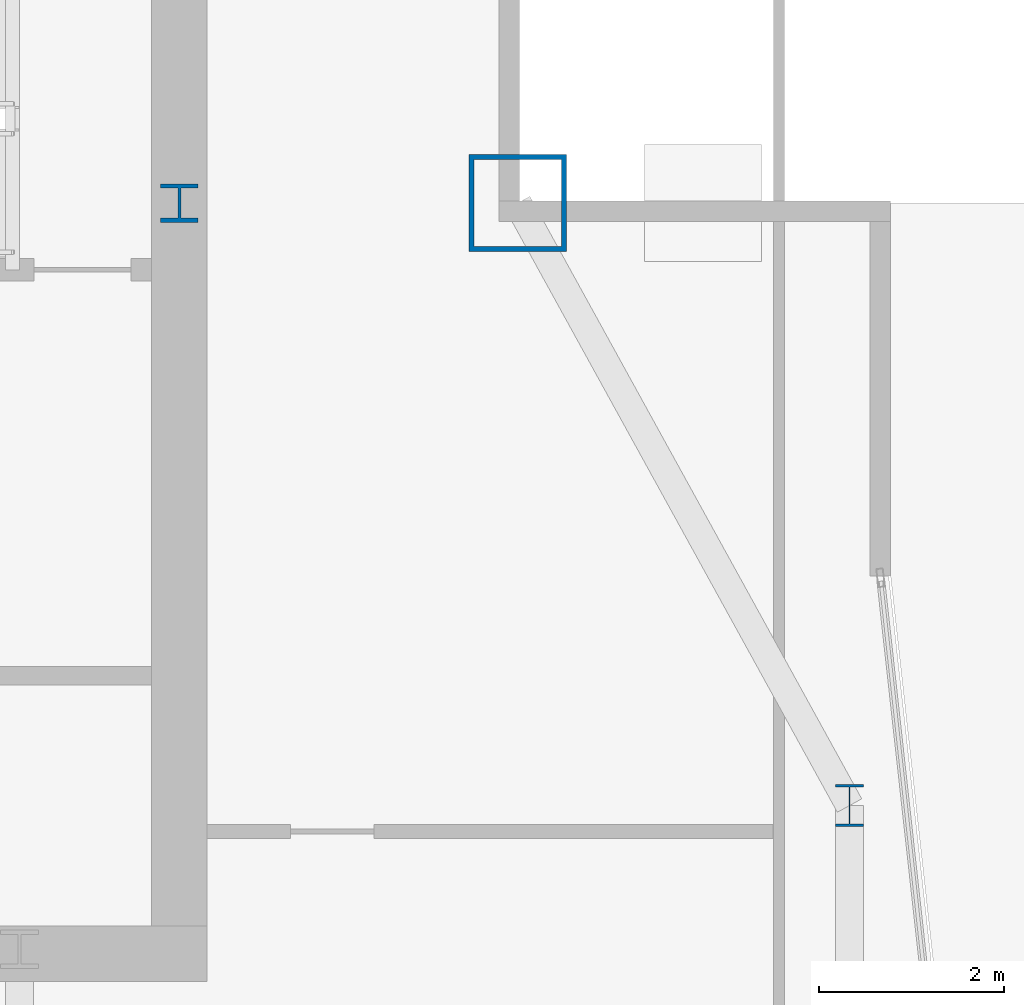
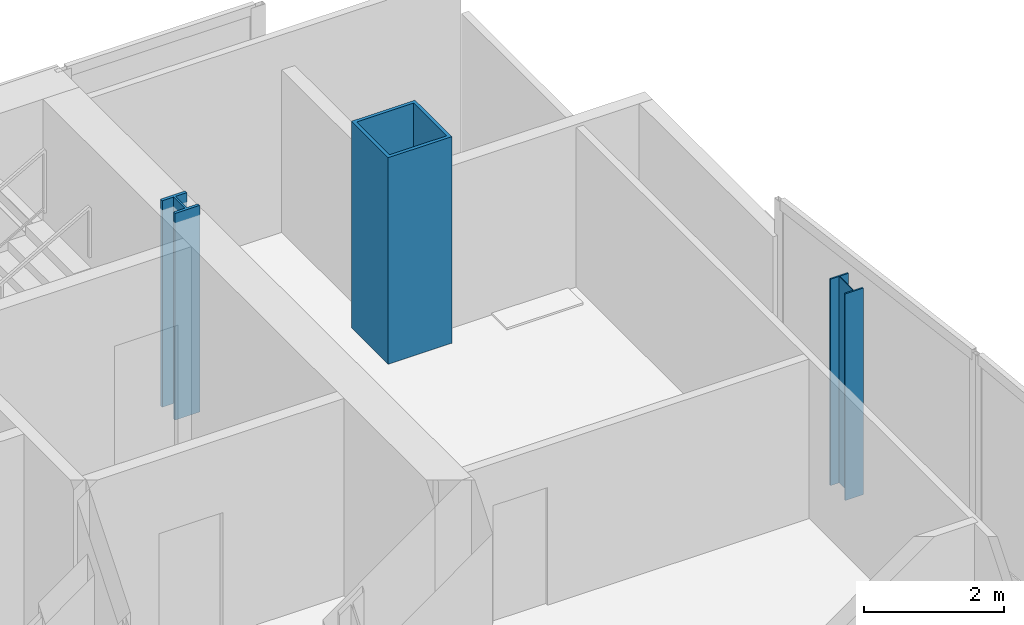
# One storey, part 4 of 30: 3 columns.
"""IFC4 building model written with IfcOpenShell, lengths in metres."""

from ifc_helpers import new_model, si_unit, direction, frame, origin, origin_2d, place, context, subcontext, project, spatial, hollow_rectangle, i_section, extrude, material, material_profile, profile_set, type_object, element, save


model = new_model("IFC4")

# Units and contexts
model_context = context("Model", 3, precision=1e-05, world=origin(), true_north=direction((0.0, 1.0)))
body_context = subcontext(model_context, "Body", "Model", "MODEL_VIEW")
ifc_project = project(units=[si_unit("LENGTHUNIT", "METRE"), si_unit("AREAUNIT", "SQUARE_METRE"), si_unit("VOLUMEUNIT", "CUBIC_METRE"), si_unit("PLANEANGLEUNIT", "RADIAN"), si_unit("MASSUNIT", "GRAM", prefix="KILO")], contexts=[model_context])

# Site, building, storey
site_placement = place(None, origin())
site = spatial("IfcSite", under=ifc_project, at=site_placement, CompositionType="ELEMENT")
building_placement = place(site_placement, origin())
building = spatial("IfcBuilding", under=site, at=building_placement, Name="Khoronbel Lancet Exchange", CompositionType="ELEMENT")
storey_placement = place(building_placement, frame((0.0, 0.0, 239.0)))
storey = spatial("IfcBuildingStorey", under=building, at=storey_placement, Name="L61", CompositionType="ELEMENT", Elevation=239.0)

# Columns
ifc_material_1 = material(Name="Steel S355", Category="steel")
ifc_material_profile_1 = material_profile(ifc_material_1, i_section(OverallWidth=0.406005859375, OverallDepth=0.416015625, WebThickness=0.02978515625, FlangeThickness=0.048095703125, at=origin_2d()), Name="HD 400x382")
ifc_profile_set_1 = profile_set([ifc_material_profile_1], Name="Steel S355")
column_type_1 = type_object("IfcColumnType", Name="COL-IC3", PredefinedType="COLUMN", material=ifc_profile_set_1)
column_1_placement = place(storey_placement, frame((56.39990234375, 49.699951171875, 0.0), z_axis=(0.0, 0.0, 1.0), x_axis=(1.0, 0.0, 0.0)))
element("IfcColumn", 1, at=column_1_placement, inside=storey, type_object=column_type_1, Name="Core-flank plumb transfer column CFE L61", PredefinedType="COLUMN", context=body_context, shape_type="SweptSolid", body=[
    extrude(i_section(OverallWidth=0.406005859375, OverallDepth=0.416015625, WebThickness=0.02978515625, FlangeThickness=0.048095703125, at=origin_2d()), origin(), (0.0, 0.0, 1.0), 3.60009765625),
])
ifc_material_profile_2 = material_profile(ifc_material_1, i_section(OverallWidth=0.300048828125, OverallDepth=0.449951171875, WebThickness=0.013916015625, FlangeThickness=0.02587890625, at=origin_2d()), Name="HEB 450")
ifc_profile_set_2 = profile_set([ifc_material_profile_2], Name="Steel S355")
column_type_2 = type_object("IfcColumnType", Name="COL-LC2", PredefinedType="COLUMN", material=ifc_profile_set_2)
column_2_placement = place(storey_placement, frame((63.6298828125, 43.199951171875, 0.0), z_axis=(0.0, 0.0, 1.0), x_axis=(1.0, 0.0, 0.0)))
element("IfcColumn", 2, at=column_2_placement, inside=storey, type_object=column_type_2, Name="Structural column EC-4 L61", PredefinedType="COLUMN", context=body_context, shape_type="SweptSolid", body=[
    extrude(i_section(OverallWidth=0.300048828125, OverallDepth=0.449951171875, WebThickness=0.013916015625, FlangeThickness=0.02587890625, at=origin_2d()), origin(), (0.0, 0.0, 1.0), 3.60009765625),
])
ifc_material_2 = material(Name="Steel S460", Category="steel")
ifc_material_profile_3 = material_profile(ifc_material_2, hollow_rectangle(XDim=1.050048828125, YDim=1.050048828125, WallThickness=0.054931640625, at=origin_2d()), Name="BOX 1050x1050x55")
ifc_profile_set_3 = profile_set([ifc_material_profile_3], Name="Steel S460")
column_type_3 = type_object("IfcColumnType", Name="COL-MC6", PredefinedType="COLUMN", material=ifc_profile_set_3)
column_3_placement = place(storey_placement, frame((60.050048828125, 49.699951171875, 0.0), z_axis=(0.0, 0.0, 1.0), x_axis=(1.0, 0.0, 0.0)))
element("IfcColumn", 3, at=column_3_placement, inside=storey, type_object=column_type_3, Name="Structural column MC-NE L61", PredefinedType="COLUMN", context=body_context, shape_type="SweptSolid", body=[
    extrude(hollow_rectangle(XDim=1.050048828125, YDim=1.050048828125, WallThickness=0.054931640625, at=origin_2d()), origin(), (0.0, 0.0, 1.0), 3.60009765625),
])

save(model, "model.ifc")
